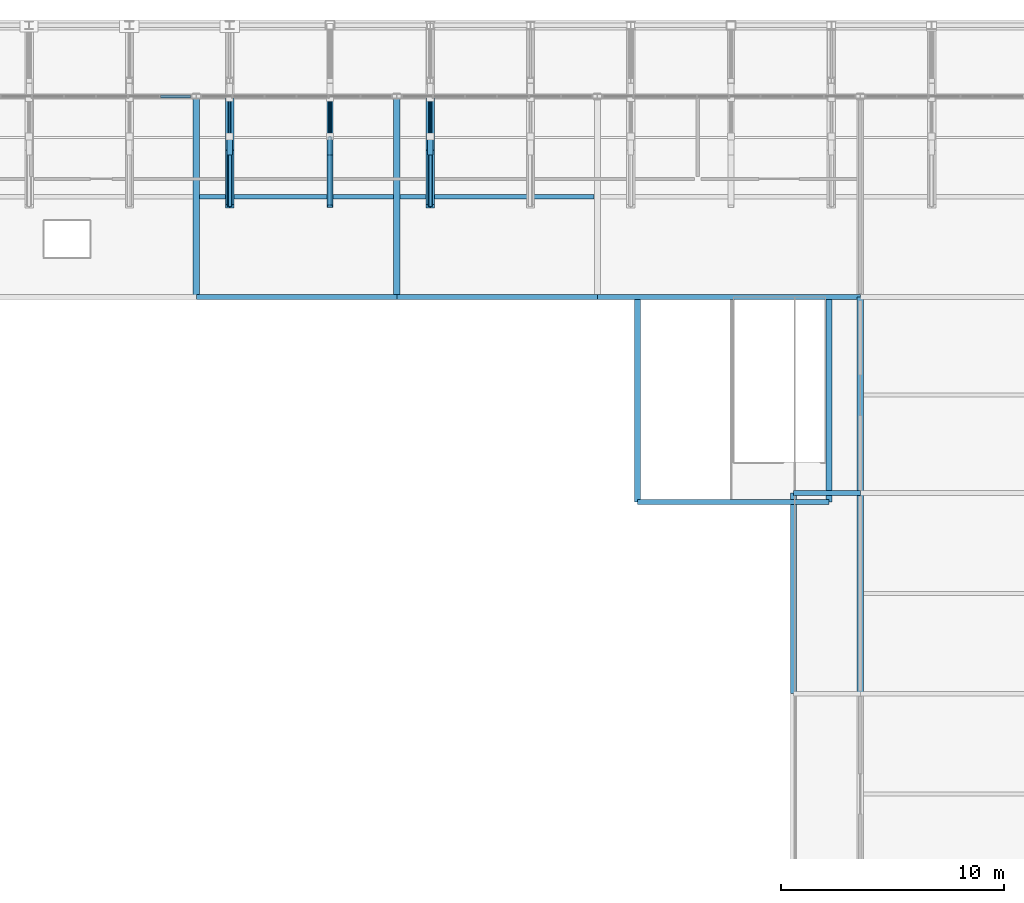
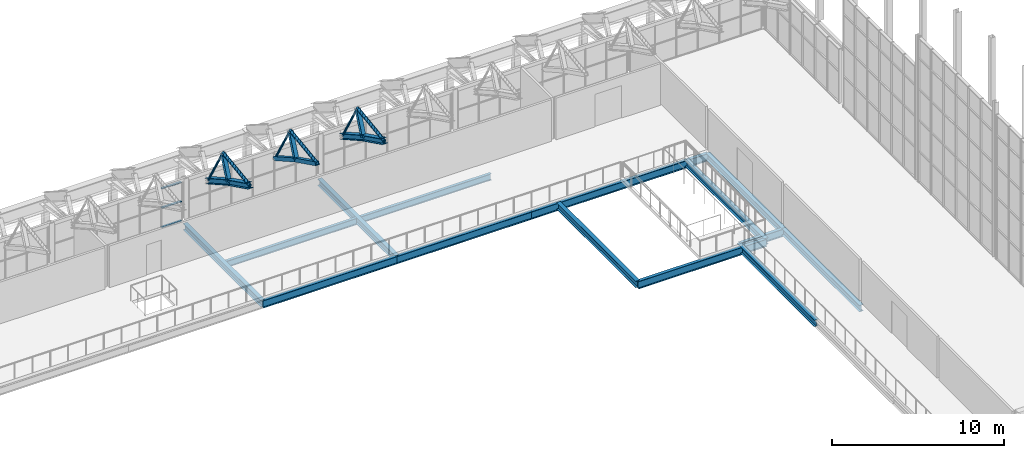
# One storey, part 83 of 134: 18 members, 14 beams, 1 element without a shape of its own.
"""IFC4 building model written with IfcOpenShell, lengths in metres."""

import ifcopenshell
import ifcopenshell.guid

model = None  # the IFC model being written
_history = None  # IfcOwnerHistory: only IFC2X3 demands one
_inside = {}  # id of a spatial element -> (the spatial element, [elements in it])
_under = {}  # id of a project, library or spatial element -> (it, [spatial elements below it])
_declared = {}  # id of a project -> (the project, [libraries it declares])
_typed = {}  # id of a type object -> (the type object, [elements of that type])
_made_of = {}  # id of a material, layer set ... -> (it, [elements and type objects made of it])


def new_model(schema):
    """Start an empty IFC model of exactly this schema.

    Asked for "IFC4X3", IfcOpenShell would pick the latest addendum, in which some entities
    have other attributes; the version numbers below select the first issue.
    IFC2X3 requires an IfcOwnerHistory on every rooted entity: one is made here for all.
    """
    global model, _history
    if schema == "IFC4X3":
        model = ifcopenshell.file(schema_version=(4, 3, 0, 0))
    else:
        model = ifcopenshell.file(schema=schema)
    _inside.clear()
    _under.clear()
    _declared.clear()
    _typed.clear()
    _made_of.clear()
    _history = None
    if model.schema == "IFC2X3":
        org = make("IfcOrganization", Name="unknown")
        user = make(
            "IfcPersonAndOrganization",
            ThePerson=make("IfcPerson", FamilyName="unknown"),
            TheOrganization=org,
        )
        app = make(
            "IfcApplication",
            ApplicationDeveloper=org,
            Version="unknown",
            ApplicationFullName="unknown",
            ApplicationIdentifier="unknown",
        )
        _history = make(
            "IfcOwnerHistory",
            OwningUser=user,
            OwningApplication=app,
            ChangeAction="ADDED",
            CreationDate=0,
        )
    return model


def make(cls, **values):
    """One entity of the class cls with the attributes given. An attribute that is None is left unset."""
    return model.create_entity(
        cls, **{name: value for name, value in values.items() if value is not None}
    )


def rooted(cls, **values):
    """An entity with a GlobalId (a new one), such as an element, a storey or a relation."""
    return make(cls, GlobalId=ifcopenshell.guid.new(), OwnerHistory=_history, **values)


def si_unit(unit_type, name, prefix=None):
    """IfcSIUnit, for example si_unit("LENGTHUNIT", "METRE", prefix="MILLI")."""
    return make("IfcSIUnit", UnitType=unit_type, Prefix=prefix, Name=name)


def assignment(units):
    """IfcUnitAssignment: the units of a project."""
    return None if units is None else make("IfcUnitAssignment", Units=units)


def point(xyz):
    """IfcCartesianPoint."""
    return None if xyz is None else make("IfcCartesianPoint", Coordinates=xyz)


def direction(xyz):
    """IfcDirection."""
    return None if xyz is None else make("IfcDirection", DirectionRatios=xyz)


def frame(location, z_axis=None, x_axis=None):
    """IfcAxis2Placement3D, a coordinate frame: its origin and axes. An axis left out is left unset."""
    return make(
        "IfcAxis2Placement3D",
        Location=point(location),
        Axis=direction(z_axis),
        RefDirection=direction(x_axis),
    )


def frame_2d(location, x_axis=None):
    """IfcAxis2Placement2D, a coordinate frame in the plane: its origin and x axis."""
    return make(
        "IfcAxis2Placement2D", Location=point(location), RefDirection=direction(x_axis)
    )


def origin():
    """The frame at (0, 0, 0) with its axes left unset."""
    return frame((0.0, 0.0, 0.0))


def origin_2d():
    """The frame at (0, 0) in the plane with its x axis left unset."""
    return frame_2d((0.0, 0.0))


def place(relative_to, where):
    """IfcLocalPlacement: puts the frame where relative to a parent placement (None: the world)."""
    return make(
        "IfcLocalPlacement", PlacementRelTo=relative_to, RelativePlacement=where
    )


def context(
    kind, dimensions, precision=None, world=None, true_north=None, identifier=None
):
    """IfcGeometricRepresentationContext, for example the 3D "Model" context."""
    return make(
        "IfcGeometricRepresentationContext",
        ContextIdentifier=identifier,
        ContextType=kind,
        CoordinateSpaceDimension=dimensions,
        Precision=precision,
        WorldCoordinateSystem=world,
        TrueNorth=true_north,
    )


def subcontext(parent, identifier, kind, view, scale=None):
    """IfcGeometricRepresentationSubContext, for example "Body" below "Model"."""
    return make(
        "IfcGeometricRepresentationSubContext",
        ContextIdentifier=identifier,
        ContextType=kind,
        ParentContext=parent,
        TargetScale=scale,
        TargetView=view,
    )


def project(units=None, contexts=None):
    """IfcProject with its units and contexts."""
    return rooted(
        "IfcProject",
        Name="project",
        RepresentationContexts=contexts,
        UnitsInContext=assignment(units),
    )


def spatial(cls, under=None, at=None, **own):
    """A site, building, storey or space (cls), placed at a placement, below another one or the project."""
    s = rooted(cls, ObjectPlacement=at, **own)
    if under is not None:
        _under.setdefault(under.id(), (under, []))[1].append(s)
    return s


def profile(cls, at=None, kind="AREA", **sizes):
    """A parametric profile (cls). Its sizes go by their IFC names, for example OverallWidth=200.0."""
    return make(cls, ProfileType=kind, Position=at, **sizes)


def rectangle(**sizes):
    """IfcRectangleProfileDef."""
    return profile("IfcRectangleProfileDef", **sizes)


def hollow_rectangle(**sizes):
    """IfcRectangleHollowProfileDef."""
    return profile("IfcRectangleHollowProfileDef", **sizes)


def hollow_circle(**sizes):
    """IfcCircleHollowProfileDef."""
    return profile("IfcCircleHollowProfileDef", **sizes)


def i_section(**sizes):
    """IfcIShapeProfileDef."""
    return profile("IfcIShapeProfileDef", **sizes)


def extrude(swept, where, along, depth):
    """IfcExtrudedAreaSolid: the profile swept, set in the frame where, extruded along a direction by depth."""
    return make(
        "IfcExtrudedAreaSolid",
        SweptArea=swept,
        Position=where,
        ExtrudedDirection=direction(along),
        Depth=depth,
    )


def shape(context_of_items, identifier, shape_type, items):
    """IfcShapeRepresentation: the items that make up one representation, for example the "Body"."""
    return make(
        "IfcShapeRepresentation",
        ContextOfItems=context_of_items,
        RepresentationIdentifier=identifier,
        RepresentationType=shape_type,
        Items=items,
    )


def material(Name=None, Category=None):
    """IfcMaterial."""
    return make("IfcMaterial", Name=Name, Category=Category)


def layer(
    of_material, thickness, ventilated=None, Name=None, Category=None, Priority=None
):
    """IfcMaterialLayer: one layer of a wall or slab, of a material (None: an air gap)."""
    return make(
        "IfcMaterialLayer",
        Material=of_material,
        LayerThickness=thickness,
        IsVentilated=ventilated,
        Name=Name,
        Category=Category,
        Priority=Priority,
    )


def layer_set(layers, Name=None):
    """IfcMaterialLayerSet."""
    return make("IfcMaterialLayerSet", MaterialLayers=layers, LayerSetName=Name)


def material_profile(
    of_material, cross_section, Name=None, Category=None, Priority=None
):
    """IfcMaterialProfile: a cross section and its material."""
    return make(
        "IfcMaterialProfile",
        Name=Name,
        Material=of_material,
        Profile=cross_section,
        Priority=Priority,
        Category=Category,
    )


def profile_set(profiles, Name=None, composite=None):
    """IfcMaterialProfileSet."""
    return make(
        "IfcMaterialProfileSet",
        Name=Name,
        MaterialProfiles=profiles,
        CompositeProfile=composite,
    )


def made_of(thing, what):
    """Note that an element or type object is made of a material, layer set ...; save() writes the relation."""
    if what is not None:
        _made_of.setdefault(what.id(), (what, []))[1].append(thing)
    return thing


def type_object(cls, material=None, **own):
    """A type object (cls), such as IfcWallType, which elements share."""
    return made_of(rooted(cls, **own), material)


def element(
    cls,
    number,
    at=None,
    inside=None,
    cuts=None,
    type_object=None,
    material=None,
    context=None,
    identifier="Body",
    shape_type=None,
    held_by="IfcProductDefinitionShape",
    body=None,
    shapes=None,
    **own,
):
    """One element of the class cls, such as IfcWall. Its Tag is "e" and its number.

    at: its placement. inside: the storey or other place that contains it. cuts: it is an
    opening in that element (IfcRelVoidsElement). A single representation is given by context,
    identifier, shape_type and body (its items); several are given by shapes. held_by: the class
    of the entity that holds the representations. save() writes the other relations.
    """
    e = rooted(cls, Tag="e%d" % number, ObjectPlacement=at, **own)
    if body is not None:
        shapes = [shape(context, identifier, shape_type, body)]
    if shapes is not None:
        e.Representation = make(held_by, Representations=shapes)
    if inside is not None:
        _inside.setdefault(inside.id(), (inside, []))[1].append(e)
    if cuts is not None:
        rooted(
            "IfcRelVoidsElement", RelatingBuildingElement=cuts, RelatedOpeningElement=e
        )
    if type_object is not None:
        _typed.setdefault(type_object.id(), (type_object, []))[1].append(e)
    return made_of(e, material)


def aggregate(whole, parts):
    """IfcRelAggregates: a whole, such as a stair, and the parts it consists of."""
    return rooted("IfcRelAggregates", RelatingObject=whole, RelatedObjects=parts)


def save(model, path):
    """Write the relations noted so far, then the file.

    IfcRelAggregates (storeys below a building ...), IfcRelContainedInSpatialStructure (elements
    in a storey), IfcRelDefinesByType, IfcRelAssociatesMaterial and IfcRelDeclares: one each for
    every whole, place, type object, material and project.
    """
    for whole, parts in _under.values():
        aggregate(whole, parts)
    for where, things in _inside.values():
        rooted(
            "IfcRelContainedInSpatialStructure",
            RelatedElements=things,
            RelatingStructure=where,
        )
    for kind, things in _typed.values():
        rooted("IfcRelDefinesByType", RelatedObjects=things, RelatingType=kind)
    for what, things in _made_of.values():
        rooted("IfcRelAssociatesMaterial", RelatedObjects=things, RelatingMaterial=what)
    for by, libraries in _declared.values():
        rooted("IfcRelDeclares", RelatingContext=by, RelatedDefinitions=libraries)
    model.write(path)


model = new_model("IFC4")

# Units and contexts
model_context = context("Model", 3, precision=1e-05, world=origin(), true_north=direction((0.0, 1.0)))
body_context = subcontext(model_context, "Body", "Model", "MODEL_VIEW")
ifc_project = project(units=[si_unit("LENGTHUNIT", "METRE"), si_unit("AREAUNIT", "SQUARE_METRE"), si_unit("VOLUMEUNIT", "CUBIC_METRE"), si_unit("PLANEANGLEUNIT", "RADIAN"), si_unit("MASSUNIT", "GRAM", prefix="KILO")], contexts=[model_context])

# Site, building, storey
site_placement = place(None, origin())
site = spatial("IfcSite", under=ifc_project, at=site_placement, CompositionType="ELEMENT")
building_placement = place(site_placement, origin())
building = spatial("IfcBuilding", under=site, at=building_placement, Name="Cazmaro Siding Exhibition Halls", CompositionType="ELEMENT")
storey_placement = place(building_placement, frame((0.0, 0.0, 12.0)))
storey = spatial("IfcBuildingStorey", under=building, at=storey_placement, Name="L02", CompositionType="ELEMENT", Elevation=12.0)

# Beams
ifc_material_1 = material(Name="Steel ASTM A992 Grade 50", Category="steel")
ifc_material_profile_1 = material_profile(ifc_material_1, i_section(OverallWidth=0.2099609375, OverallDepth=0.535888671875, WebThickness=0.010986328125, FlangeThickness=0.01708984375, at=origin_2d()), Name="W21X68")
ifc_profile_set_1 = profile_set([ifc_material_profile_1], Name="Steel ASTM A992 Grade 50")
beam_type_1 = type_object("IfcBeamType", Name="B-02", PredefinedType="BEAM", material=ifc_profile_set_1)
for number, where, z_axis, x_axis, name in (
    (1, (129.0, 111.800048828125, -0.488037109375), (1.0, 0.0, 0.0), (0.0, 1.0, 0.0), "Beam B-02 BM-0425"),
    (2, (138.0, 111.800048828125, -0.488037109375), (1.0, 0.0, 0.0), (0.0, 1.0, 0.0), "Beam B-02 BM-0428"),
):
    element("IfcBeam", number, at=place(storey_placement, frame(where, z_axis=z_axis, x_axis=x_axis)), inside=storey, type_object=beam_type_1, Name=name, PredefinedType="BEAM", context=body_context, shape_type="SweptSolid", body=[
        extrude(i_section(OverallWidth=0.2099609375, OverallDepth=0.535888671875, WebThickness=0.010986328125, FlangeThickness=0.01708984375, at=origin_2d()), origin(), (0.0, 0.0, 1.0), 9.0),
    ])
beam_1_placement = place(storey_placement, frame((147.0, 111.800048828125, -0.488037109375), z_axis=(1.0, 0.0, 0.0), x_axis=(0.0, 1.0, 0.0)))
element("IfcBeam", 3, at=beam_1_placement, inside=storey, type_object=beam_type_1, Name="Beam B-02 BM-0431", PredefinedType="BEAM", context=body_context, shape_type="SweptSolid", body=[
    extrude(i_section(OverallWidth=0.2099609375, OverallDepth=0.535888671875, WebThickness=0.010986328125, FlangeThickness=0.01708984375, at=origin_2d()), origin(), (0.0, 0.0, 1.0), 11.800048828125),
])
beam_2_placement = place(storey_placement, frame((155.800048828125, 103.0, -0.488037109375), z_axis=(1.0, 0.0, 0.0), x_axis=(0.0, 1.0, 0.0)))
element("IfcBeam", 4, at=beam_2_placement, inside=storey, type_object=beam_type_1, Name="Beam B-02 BM-0511", PredefinedType="BEAM", context=body_context, shape_type="SweptSolid", body=[
    extrude(i_section(OverallWidth=0.2099609375, OverallDepth=0.535888671875, WebThickness=0.010986328125, FlangeThickness=0.01708984375, at=origin_2d()), origin(), (0.0, 0.0, 1.0), 3.0),
])
beam_3_placement = place(storey_placement, frame((148.800048828125, 102.60009765625, -0.488037109375), z_axis=(1.0, 0.0, 0.0), x_axis=(0.0, 1.0, 0.0)))
element("IfcBeam", 5, at=beam_3_placement, inside=storey, type_object=beam_type_1, Name="Beam B-02 BM-2515", PredefinedType="BEAM", context=body_context, shape_type="SweptSolid", body=[
    extrude(i_section(OverallWidth=0.2099609375, OverallDepth=0.535888671875, WebThickness=0.010986328125, FlangeThickness=0.01708984375, at=origin_2d()), origin(), (0.0, 0.0, 1.0), 8.599853515625),
])
ifc_material_2 = material(Name="Steel ASTM A992 Grade 50", Category="steel")
ifc_material_profile_2 = material_profile(ifc_material_2, i_section(OverallWidth=0.279052734375, OverallDepth=0.4619140625, WebThickness=0.010986328125, FlangeThickness=0.01708984375, at=origin_2d()), Name="W18X76")
ifc_profile_set_2 = profile_set([ifc_material_profile_2], Name="Steel ASTM A992 Grade 50")
beam_type_2 = type_object("IfcBeamType", Name="B-03", PredefinedType="BEAM", material=ifc_profile_set_2)
for number, where, z_axis, x_axis, name in (
    (6, (129.0, 111.800048828125, -0.450927734375), (0.0, 1.0, 0.0), (-1.0, 0.0, 0.0), "Beam B-03 BM-0446"),
    (7, (138.0, 111.800048828125, -0.450927734375), (0.0, 1.0, 0.0), (-1.0, 0.0, 0.0), "Beam B-03 BM-0447"),
    (8, (155.800048828125, 94.0, -0.450927734375), (0.0, 1.0, 0.0), (-1.0, 0.0, 0.0), "Beam B-03 BM-0516"),
    (9, (158.800048828125, 94.0, -0.450927734375), (0.0, 1.0, 0.0), (-1.0, 0.0, 0.0), "Beam B-03 BM-0517"),
):
    element("IfcBeam", number, at=place(storey_placement, frame(where, z_axis=z_axis, x_axis=x_axis)), inside=storey, type_object=beam_type_2, Name=name, PredefinedType="BEAM", context=body_context, shape_type="SweptSolid", body=[
        extrude(i_section(OverallWidth=0.279052734375, OverallDepth=0.4619140625, WebThickness=0.010986328125, FlangeThickness=0.01708984375, at=origin_2d()), origin(), (0.0, 0.0, 1.0), 9.0),
    ])
beam_4_placement = place(storey_placement, frame((158.800048828125, 103.0, -0.450927734375), z_axis=(0.0, 1.0, 0.0), x_axis=(-1.0, 0.0, 0.0)))
element("IfcBeam", 10, at=beam_4_placement, inside=storey, type_object=beam_type_2, Name="Beam B-03 BM-0518", PredefinedType="BEAM", context=body_context, shape_type="SweptSolid", body=[
    extrude(i_section(OverallWidth=0.279052734375, OverallDepth=0.4619140625, WebThickness=0.010986328125, FlangeThickness=0.01708984375, at=origin_2d()), origin(), (0.0, 0.0, 1.0), 8.800048828125),
])
for number, where, z_axis, x_axis, name in (
    (11, (148.800048828125, 102.60009765625, -0.450927734375), (0.0, 1.0, 0.0), (-1.0, 0.0, 0.0), "Beam B-03 BM-2516"),
    (12, (157.39990234375, 102.60009765625, -0.450927734375), (0.0, 1.0, 0.0), (-1.0, 0.0, 0.0), "Beam B-03 BM-2517"),
):
    element("IfcBeam", number, at=place(storey_placement, frame(where, z_axis=z_axis, x_axis=x_axis)), inside=storey, type_object=beam_type_2, Name=name, PredefinedType="BEAM", context=body_context, shape_type="SweptSolid", body=[
        extrude(i_section(OverallWidth=0.279052734375, OverallDepth=0.4619140625, WebThickness=0.010986328125, FlangeThickness=0.01708984375, at=origin_2d()), origin(), (0.0, 0.0, 1.0), 9.199951171875),
    ])

# Curtain wall, members
ifc_material_3 = material(Name="Anodized Bronze Aluminum and Solar-Control Low-E Glazing", Category="aluminium")
ifc_layer = layer(ifc_material_3, 0.159912109375)
ifc_layer_set = layer_set([ifc_layer], Name="Anodized Bronze Aluminum and Solar-Control Low-E Glazing")
curtain_wall_type = type_object("IfcCurtainWallType", Name="CWS-04", PredefinedType="USERDEFINED", material=ifc_layer_set)
curtain_wall_placement = place(storey_placement, origin())
curtain_wall = element("IfcCurtainWall", 13, at=curtain_wall_placement, inside=storey, type_object=curtain_wall_type, Name="Clerestory Curtain Wall CWS-04 CW-034", ObjectType="CLERESTORY CURTAIN WALL", PredefinedType="USERDEFINED")
ifc_material_4 = material(Name="Anodized Bronze Extruded Aluminum", Category="aluminium")
ifc_material_profile_3 = material_profile(ifc_material_4, rectangle(XDim=0.139892578125, YDim=0.06005859375, at=origin_2d()), Name="CWT-04")
ifc_profile_set_3 = profile_set([ifc_material_profile_3], Name="Anodized Bronze Extruded Aluminum")
member_type_1 = type_object("IfcMemberType", Name="CWT-04", PredefinedType="MULLION", material=ifc_profile_set_3)
member_1_placement = place(storey_placement, frame((128.742919921875, 120.800048828125, 0.030029296875), z_axis=(-1.0, 0.0, 0.0), x_axis=(0.0, -1.0, 0.0)))
member_1 = element("IfcMember", 14, at=member_1_placement, type_object=member_type_1, Name="CWS-04 transom 1.1", ObjectType="TRANSOM", PredefinedType="USERDEFINED", context=body_context, shape_type="SweptSolid", body=[
    extrude(rectangle(XDim=0.139892578125, YDim=0.06005859375, at=origin_2d()), origin(), (0.0, 0.0, 1.0), 1.34423828125),
])
member_2_placement = place(storey_placement, frame((128.742919921875, 120.800048828125, 1.39990234375), z_axis=(-1.0, 0.0, 0.0), x_axis=(0.0, -1.0, 0.0)))
member_2 = element("IfcMember", 15, at=member_2_placement, type_object=member_type_1, Name="CWS-04 transom 1.2", ObjectType="TRANSOM", PredefinedType="USERDEFINED", context=body_context, shape_type="SweptSolid", body=[
    extrude(rectangle(XDim=0.139892578125, YDim=0.06005859375, at=origin_2d()), origin(), (0.0, 0.0, 1.0), 1.34423828125),
])
member_3_placement = place(storey_placement, frame((128.742919921875, 120.800048828125, 2.77001953125), z_axis=(-1.0, 0.0, 0.0), x_axis=(0.0, -1.0, 0.0)))
member_3 = element("IfcMember", 16, at=member_3_placement, type_object=member_type_1, Name="CWS-04 transom 1.3", ObjectType="TRANSOM", PredefinedType="USERDEFINED", context=body_context, shape_type="SweptSolid", body=[
    extrude(rectangle(XDim=0.139892578125, YDim=0.06005859375, at=origin_2d()), origin(), (0.0, 0.0, 1.0), 1.34423828125),
])
aggregate(curtain_wall, [member_1, member_2, member_3])

# Beams
ifc_material_5 = material(Name="Steel ASTM A992 Grade 50", Category="steel")
ifc_material_profile_4 = material_profile(ifc_material_5, i_section(OverallWidth=0.19091796875, OverallDepth=0.45703125, WebThickness=0.009033203125, FlangeThickness=0.013916015625, at=origin_2d()), Name="W18X50")
ifc_profile_set_4 = profile_set([ifc_material_profile_4], Name="Steel ASTM A992 Grade 50")
beam_type_3 = type_object("IfcBeamType", Name="J-01", PredefinedType="JOIST", material=ifc_profile_set_4)
for number, where, z_axis, x_axis, name in (
    (17, (129.139892578125, 116.300048828125, -0.448974609375), (1.0, 0.0, 0.0), (0.0, 1.0, 0.0), "Beam J-01 BM-0427"),
    (18, (138.139892578125, 116.300048828125, -0.448974609375), (1.0, 0.0, 0.0), (0.0, 1.0, 0.0), "Beam J-01 BM-0430"),
):
    element("IfcBeam", number, at=place(storey_placement, frame(where, z_axis=z_axis, x_axis=x_axis)), inside=storey, type_object=beam_type_3, Name=name, PredefinedType="JOIST", context=body_context, shape_type="SweptSolid", body=[
        extrude(i_section(OverallWidth=0.19091796875, OverallDepth=0.45703125, WebThickness=0.009033203125, FlangeThickness=0.013916015625, at=origin_2d()), origin(), (0.0, 0.0, 1.0), 8.72021484375),
    ])

# Members
ifc_material_6 = material(Name="Steel ASTM A500 Grade C", Category="steel")
ifc_material_profile_5 = material_profile(ifc_material_6, hollow_rectangle(XDim=0.25390625, YDim=0.25390625, WallThickness=0.014892578125, at=origin_2d()), Name="HSS10X10X5/8")
ifc_profile_set_5 = profile_set([ifc_material_profile_5], Name="Steel ASTM A500 Grade C")
member_type_2 = type_object("IfcMemberType", Name="TC-01", PredefinedType="CHORD", material=ifc_profile_set_5)
member_4_placement = place(storey_placement, frame((135.0, 115.868896484375, 4.87890625), z_axis=(0.0, 0.896077457924, -0.443897724033), x_axis=(-1.0, 0.0, 0.0)))
element("IfcMember", 19, at=member_4_placement, inside=storey, type_object=member_type_2, Name="Space frame barrel vault bottom chord TC-01 MEM-1415", PredefinedType="CHORD", context=body_context, shape_type="SweptSolid", body=[
    extrude(hollow_rectangle(XDim=0.25390625, YDim=0.25390625, WallThickness=0.014892578125, at=origin_2d()), origin(), (0.0, 0.0, 1.0), 2.7119140625),
])
member_5_placement = place(storey_placement, frame((135.0, 118.299072265625, 3.675048828125), z_axis=(0.0, 0.871222319466, -0.490888653428), x_axis=(-1.0, 0.0, 0.0)))
element("IfcMember", 20, at=member_5_placement, inside=storey, type_object=member_type_2, Name="Space frame barrel vault bottom chord TC-01 MEM-1417", PredefinedType="CHORD", context=body_context, shape_type="SweptSolid", body=[
    extrude(hollow_rectangle(XDim=0.25390625, YDim=0.25390625, WallThickness=0.014892578125, at=origin_2d()), origin(), (0.0, 0.0, 1.0), 2.7890625),
])
ifc_material_7 = material(Name="Steel ASTM A992 Grade 50", Category="steel")
ifc_material_profile_6 = material_profile(ifc_material_7, i_section(OverallWidth=0.37109375, OverallDepth=0.364013671875, WebThickness=0.012939453125, FlangeThickness=0.02197265625, at=origin_2d()), Name="W14X109")
ifc_profile_set_6 = profile_set([ifc_material_profile_6], Name="Steel ASTM A992 Grade 50")
member_type_3 = type_object("IfcMemberType", Name="TC-06", PredefinedType="CHORD", material=ifc_profile_set_6)
member_6_placement = place(storey_placement, frame((130.5, 115.868896484375, 4.87890625), z_axis=(0.0, 0.896077457924, -0.443897724033), x_axis=(-1.0, 0.0, 0.0)))
element("IfcMember", 21, at=member_6_placement, inside=storey, type_object=member_type_3, Name="Space frame barrel vault bottom chord TC-06 MEM-1344", PredefinedType="CHORD", context=body_context, shape_type="SweptSolid", body=[
    extrude(i_section(OverallWidth=0.37109375, OverallDepth=0.364013671875, WebThickness=0.012939453125, FlangeThickness=0.02197265625, at=origin_2d()), origin(), (0.0, 0.0, 1.0), 2.7119140625),
])
member_7_placement = place(storey_placement, frame((130.5, 118.299072265625, 3.675048828125), z_axis=(0.0, 0.871222319466, -0.490888653428), x_axis=(-1.0, 0.0, 0.0)))
element("IfcMember", 22, at=member_7_placement, inside=storey, type_object=member_type_3, Name="Space frame barrel vault bottom chord TC-06 MEM-1346", PredefinedType="CHORD", context=body_context, shape_type="SweptSolid", body=[
    extrude(i_section(OverallWidth=0.37109375, OverallDepth=0.364013671875, WebThickness=0.012939453125, FlangeThickness=0.02197265625, at=origin_2d()), origin(), (0.0, 0.0, 1.0), 2.7890625),
])
member_8_placement = place(storey_placement, frame((139.5, 115.868896484375, 4.87890625), z_axis=(0.0, 0.896077457924, -0.443897724033), x_axis=(-1.0, 0.0, 0.0)))
element("IfcMember", 23, at=member_8_placement, inside=storey, type_object=member_type_3, Name="Space frame barrel vault bottom chord TC-06 MEM-1486", PredefinedType="CHORD", context=body_context, shape_type="SweptSolid", body=[
    extrude(i_section(OverallWidth=0.37109375, OverallDepth=0.364013671875, WebThickness=0.012939453125, FlangeThickness=0.02197265625, at=origin_2d()), origin(), (0.0, 0.0, 1.0), 2.7119140625),
])
member_9_placement = place(storey_placement, frame((139.5, 118.299072265625, 3.675048828125), z_axis=(0.0, 0.871222319466, -0.490888653428), x_axis=(-1.0, 0.0, 0.0)))
element("IfcMember", 24, at=member_9_placement, inside=storey, type_object=member_type_3, Name="Space frame barrel vault bottom chord TC-06 MEM-1488", PredefinedType="CHORD", context=body_context, shape_type="SweptSolid", body=[
    extrude(i_section(OverallWidth=0.37109375, OverallDepth=0.364013671875, WebThickness=0.012939453125, FlangeThickness=0.02197265625, at=origin_2d()), origin(), (0.0, 0.0, 1.0), 2.7890625),
])
ifc_material_8 = material(Name="Steel ASTM A992 Grade 50", Category="steel")
ifc_material_profile_7 = material_profile(ifc_material_8, i_section(OverallWidth=0.25390625, OverallDepth=0.25390625, WebThickness=0.009033203125, FlangeThickness=0.013916015625, at=origin_2d()), Name="W10X49")
ifc_profile_set_7 = profile_set([ifc_material_profile_7], Name="Steel ASTM A992 Grade 50")
member_type_4 = type_object("IfcMemberType", Name="TP-04", PredefinedType="POST", material=ifc_profile_set_7)
for number, where, z_axis, x_axis, name in (
    (25, (130.5, 118.299072265625, 3.675048828125), (0.0, 0.395865434272, 0.918308530913), (-1.0, 0.0, 0.0), "Space frame barrel vault post TP-04 MEM-1371"),
    (26, (135.0, 118.299072265625, 3.675048828125), (0.0, 0.395865434272, 0.918308530913), (-1.0, 0.0, 0.0), "Space frame barrel vault post TP-04 MEM-1442"),
    (27, (139.5, 118.299072265625, 3.675048828125), (0.0, 0.395865434272, 0.918308530913), (-1.0, 0.0, 0.0), "Space frame barrel vault post TP-04 MEM-1513"),
):
    element("IfcMember", number, at=place(storey_placement, frame(where, z_axis=z_axis, x_axis=x_axis)), inside=storey, type_object=member_type_4, Name=name, PredefinedType="POST", context=body_context, shape_type="SweptSolid", body=[
        extrude(i_section(OverallWidth=0.25390625, OverallDepth=0.25390625, WebThickness=0.009033203125, FlangeThickness=0.013916015625, at=origin_2d()), origin(), (0.0, 0.0, 1.0), 1.7705078125),
    ])
ifc_material_9 = material(Name="Steel ASTM A500 Grade C", Category="steel")
ifc_material_profile_8 = material_profile(ifc_material_9, hollow_circle(Radius=0.109619140625, WallThickness=0.012939453125, at=origin_2d()), Name="PIPE8XS")
ifc_profile_set_8 = profile_set([ifc_material_profile_8], Name="Steel ASTM A500 Grade C")
member_type_5 = type_object("IfcMemberType", Name="WB-01", PredefinedType="BRACE", material=ifc_profile_set_8)
for number, where, z_axis, x_axis, name in (
    (28, (130.5, 115.868896484375, 4.87890625), (0.0, 0.991034510477, 0.133606134005), (-1.0, 0.0, 0.0), "Space frame barrel vault diagonal WB-01 MEM-1345"),
    (29, (135.0, 115.868896484375, 4.87890625), (0.0, 0.991034510477, 0.133606134005), (-1.0, 0.0, 0.0), "Space frame barrel vault diagonal WB-01 MEM-1416"),
    (30, (139.5, 115.868896484375, 4.87890625), (0.0, 0.991034510477, 0.133606134005), (-1.0, 0.0, 0.0), "Space frame barrel vault diagonal WB-01 MEM-1487"),
):
    element("IfcMember", number, at=place(storey_placement, frame(where, z_axis=z_axis, x_axis=x_axis)), inside=storey, type_object=member_type_5, Name=name, PredefinedType="BRACE", context=body_context, shape_type="SweptSolid", body=[
        extrude(hollow_circle(Radius=0.109619140625, WallThickness=0.012939453125, at=origin_2d()), origin(), (0.0, 0.0, 1.0), 3.159423828125),
    ])
ifc_material_10 = material(Name="Steel ASTM A500 Grade C", Category="steel")
ifc_material_profile_9 = material_profile(ifc_material_10, hollow_circle(Radius=0.070556640625, WallThickness=0.01904296875, at=origin_2d()), Name="PIPE5XXS")
ifc_profile_set_9 = profile_set([ifc_material_profile_9], Name="Steel ASTM A500 Grade C")
member_type_6 = type_object("IfcMemberType", Name="WB-07", PredefinedType="BRACE", material=ifc_profile_set_9)
for number, where, z_axis, x_axis, name in (
    (31, (130.5, 119.0, 5.301025390625), (0.0, 0.499950595228, -0.866053925764), (-1.0, 0.0, 0.0), "Space frame barrel vault diagonal WB-07 MEM-1347"),
    (32, (135.0, 119.0, 5.301025390625), (0.0, 0.499950595228, -0.866053925764), (-1.0, 0.0, 0.0), "Space frame barrel vault diagonal WB-07 MEM-1418"),
    (33, (139.5, 119.0, 5.301025390625), (0.0, 0.499950595228, -0.866053925764), (-1.0, 0.0, 0.0), "Space frame barrel vault diagonal WB-07 MEM-1489"),
):
    element("IfcMember", number, at=place(storey_placement, frame(where, z_axis=z_axis, x_axis=x_axis)), inside=storey, type_object=member_type_6, Name=name, PredefinedType="BRACE", context=body_context, shape_type="SweptSolid", body=[
        extrude(hollow_circle(Radius=0.070556640625, WallThickness=0.01904296875, at=origin_2d()), origin(), (0.0, 0.0, 1.0), 3.458251953125),
    ])

save(model, "model.ifc")
